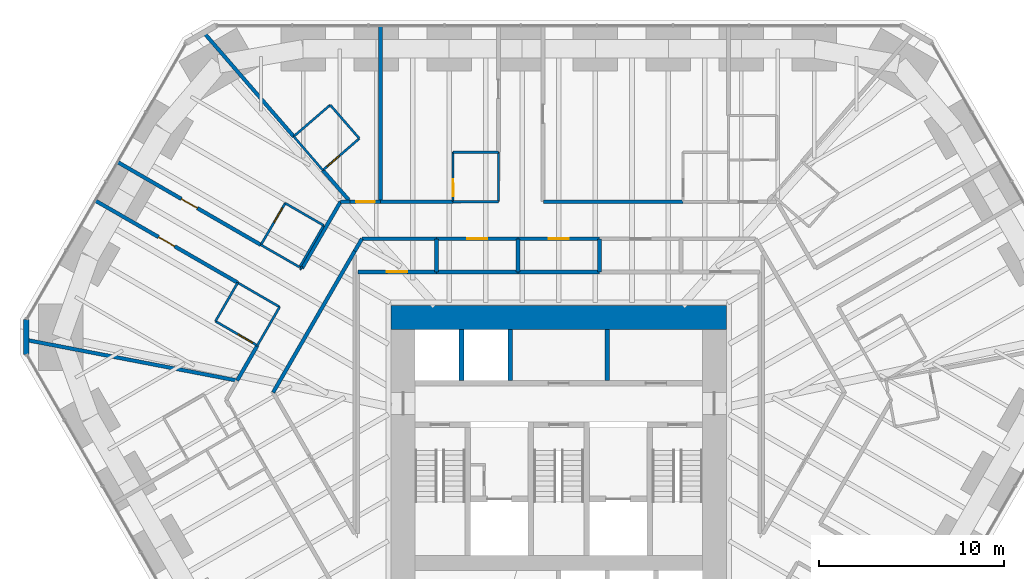
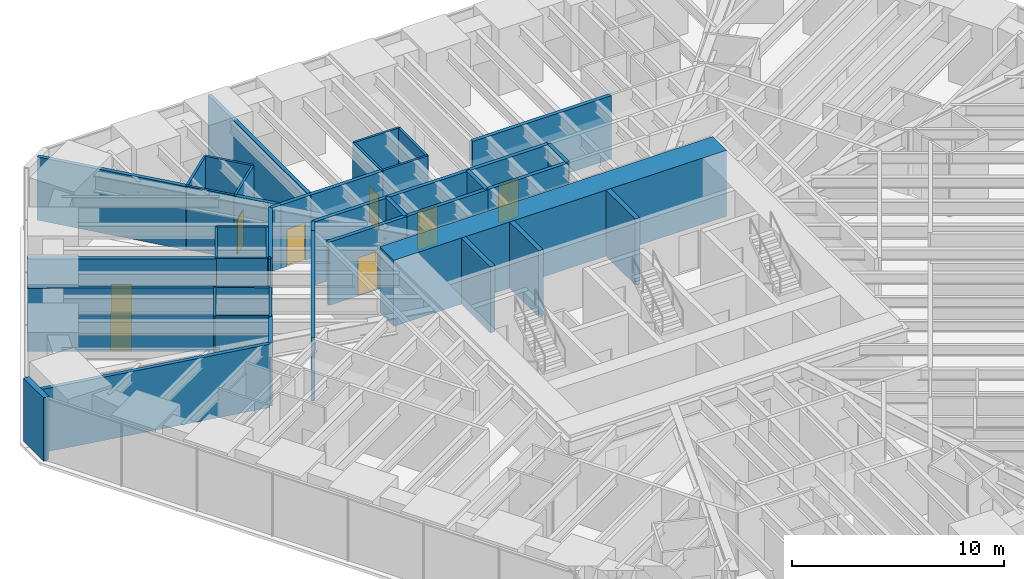
# One storey, part 14 of 17: 45 walls, 10 doors, 10 openings.
"""IFC4 building model written with IfcOpenShell, lengths in metres."""

from ifc_helpers import new_model, si_unit, direction, frame, frame_2d, origin, place, context, subcontext, project, spatial, rectangle, extrude, material, layer, layer_set, type_object, element, fill, save


model = new_model("IFC4")

# Units and contexts
model_context = context("Model", 3, precision=1e-05, world=origin(), true_north=direction((0.0, 1.0)))
body_context = subcontext(model_context, "Body", "Model", "MODEL_VIEW")
ifc_project = project(units=[si_unit("LENGTHUNIT", "METRE"), si_unit("AREAUNIT", "SQUARE_METRE"), si_unit("VOLUMEUNIT", "CUBIC_METRE"), si_unit("PLANEANGLEUNIT", "RADIAN"), si_unit("MASSUNIT", "GRAM", prefix="KILO")], contexts=[model_context])

# Site, building, storey
site_placement = place(None, origin())
site = spatial("IfcSite", under=ifc_project, at=site_placement, CompositionType="ELEMENT")
building_placement = place(site_placement, origin())
building = spatial("IfcBuilding", under=site, at=building_placement, Name="Sandreach Pilgrim Tower", CompositionType="ELEMENT")
storey_placement = place(building_placement, frame((0.0, 0.0, 100.60009765625)))
storey = spatial("IfcBuildingStorey", under=building, at=storey_placement, Name="L24", CompositionType="ELEMENT", Elevation=100.60009765625)

# Wall, opening, door
ifc_material_1 = material(Name="Moisture-resistant gypsum board on steel studs", Category="steel")
ifc_layer_1 = layer(ifc_material_1, 0.1201171875)
ifc_layer_set_1 = layer_set([ifc_layer_1], Name="Bathroom partition 120")
wall_type_1 = type_object("IfcWallType", Name="Bathroom partition 120", PredefinedType="PARTITIONING", material=ifc_layer_set_1)
wall_1_placement = place(storey_placement, frame((-18.52001953125, 6.5400390625, 0.0), z_axis=(0.0, 0.0, 1.0), x_axis=(0.865155281359, -0.50150407689, 0.0)))
wall_1 = element("IfcWall", 1, at=wall_1_placement, inside=storey, type_object=wall_type_1, Name="Bathroom partition L24-012", PredefinedType="PARTITIONING", context=body_context, shape_type="SweptSolid", body=[
    extrude(rectangle(XDim=2.6123046875, YDim=0.1201171875, at=frame_2d((1.30615234375, 0.0))), origin(), (0.0, 0.0, 1.0), 3.639892578125),
])
opening_1_placement = place(wall_1_placement, frame((1.412109375, 0.0, 0.0)))
opening_1 = element("IfcOpeningElement", 2, at=opening_1_placement, cuts=wall_1, Name="Opening D09-16B", PredefinedType="OPENING", context=body_context, shape_type="SweptSolid", body=[
    extrude(rectangle(XDim=0.89990234375, YDim=2.030029296875, at=frame_2d((0.449951171875, 1.01513671875))), frame((0.0, 0.06005859375, 0.0), z_axis=(0.0, -1.0, 0.0), x_axis=(1.0, 0.0, 0.0)), (0.0, 0.0, 1.0), 0.1201171875),
])
ifc_material_2 = material(Name="Timber door, steel frame", Category="steel")
door_type_1 = type_object("IfcDoorType", Name="Bathroom door", OperationType="SINGLE_SWING_LEFT", PredefinedType="DOOR", material=ifc_material_2)
door_1_placement = place(opening_1_placement, origin())
door_1 = element("IfcDoor", 3, at=door_1_placement, inside=storey, type_object=door_type_1, Name="Door 2416B", OperationType="SINGLE_SWING_RIGHT", OverallHeight=2.030029296875, OverallWidth=0.89990234375, PredefinedType="DOOR", context=body_context, shape_type="SweptSolid", body=[
    extrude(rectangle(XDim=0.89990234375, YDim=2.030029296875, at=frame_2d((0.449951171875, 1.01513671875))), frame((0.0, 0.02490234375, 0.0), z_axis=(0.0, -1.0, 0.0), x_axis=(1.0, 0.0, 0.0)), (0.0, 0.0, 1.0), 0.050048828125),
])
fill(opening_1, door_1)

# Walls
wall_2_placement = place(storey_placement, frame((-17.320068359375, 8.6201171875, 0.0), z_axis=(0.0, 0.0, 1.0), x_axis=(-0.499693115345, -0.866202511239, 0.0)))
element("IfcWall", 4, at=wall_2_placement, inside=storey, type_object=wall_type_1, Name="Bathroom partition L24-020", PredefinedType="PARTITIONING", context=body_context, shape_type="SweptSolid", body=[
    extrude(rectangle(XDim=2.4013671875, YDim=0.1201171875, at=frame_2d((1.20068359375, 0.0))), origin(), (0.0, 0.0, 1.0), 3.639892578125),
])
wall_3_placement = place(storey_placement, frame((-17.320068359375, 8.6201171875, 0.0), z_axis=(0.0, 0.0, 1.0), x_axis=(0.865155281359, -0.50150407689, 0.0)))
element("IfcWall", 5, at=wall_3_placement, inside=storey, type_object=wall_type_1, Name="Bathroom partition L24-021", PredefinedType="PARTITIONING", context=body_context, shape_type="SweptSolid", body=[
    extrude(rectangle(XDim=2.6123046875, YDim=0.1201171875, at=frame_2d((1.30615234375, 0.0))), origin(), (0.0, 0.0, 1.0), 3.639892578125),
])
wall_4_placement = place(storey_placement, frame((-16.261474609375, 5.23095703125, 0.0), z_axis=(0.0, 0.0, 1.0), x_axis=(0.500326720225, 0.865836689583, 0.0)))
element("IfcWall", 6, at=wall_4_placement, inside=storey, type_object=wall_type_1, Name="Bathroom partition L24-023", PredefinedType="PARTITIONING", context=body_context, shape_type="SweptSolid", body=[
    extrude(rectangle(XDim=2.4013671875, YDim=0.1201171875, at=frame_2d((1.20068359375, 0.0))), origin(), (0.0, 0.0, 1.0), 3.639892578125),
])
wall_5_placement = place(storey_placement, frame((-16.070068359375, 10.659912109375, 0.0), z_axis=(0.0, 0.0, 1.0), x_axis=(0.866987280299, -0.498330267795, 0.0)))
element("IfcWall", 7, at=wall_5_placement, inside=storey, type_object=wall_type_1, Name="Bathroom partition L24-024", PredefinedType="PARTITIONING", context=body_context, shape_type="SweptSolid", body=[
    extrude(rectangle(XDim=2.409912109375, YDim=0.1201171875, at=frame_2d((1.205078125, 0.0))), origin(), (0.0, 0.0, 1.0), 3.639892578125),
])

# Wall, opening, door
wall_6_placement = place(storey_placement, frame((-14.760009765625, 12.909912109375, 0.0), z_axis=(0.0, 0.0, 1.0), x_axis=(-0.503171227198, -0.864186736834, 0.0)))
wall_6 = element("IfcWall", 8, at=wall_6_placement, inside=storey, type_object=wall_type_1, Name="Bathroom partition L24-027", PredefinedType="PARTITIONING", context=body_context, shape_type="SweptSolid", body=[
    extrude(rectangle(XDim=2.603515625, YDim=0.1201171875, at=frame_2d((1.3017578125, 0.0))), origin(), (0.0, 0.0, 1.0), 3.639892578125),
])
opening_2_placement = place(wall_6_placement, frame((0.300048828125, 0.0, 0.0)))
opening_2 = element("IfcOpeningElement", 9, at=opening_2_placement, cuts=wall_6, Name="Opening D09-17B", PredefinedType="OPENING", context=body_context, shape_type="SweptSolid", body=[
    extrude(rectangle(XDim=0.89990234375, YDim=2.030029296875, at=frame_2d((0.449951171875, 1.01513671875))), frame((0.0, 0.06005859375, 0.0), z_axis=(0.0, -1.0, 0.0), x_axis=(1.0, 0.0, 0.0)), (0.0, 0.0, 1.0), 0.1201171875),
])
door_2_placement = place(opening_2_placement, origin())
door_2 = element("IfcDoor", 10, at=door_2_placement, inside=storey, type_object=door_type_1, Name="Door 2417B", OperationType="SINGLE_SWING_LEFT", OverallHeight=2.030029296875, OverallWidth=0.89990234375, PredefinedType="DOOR", context=body_context, shape_type="SweptSolid", body=[
    extrude(rectangle(XDim=0.89990234375, YDim=2.030029296875, at=frame_2d((0.449951171875, 1.01513671875))), frame((0.0, 0.02490234375, 0.0), z_axis=(0.0, -1.0, 0.0), x_axis=(1.0, 0.0, 0.0)), (0.0, 0.0, 1.0), 0.050048828125),
])
fill(opening_2, door_2)

# Walls
wall_7_placement = place(storey_placement, frame((-14.300048828125, 16.510009765625, 0.0), z_axis=(0.0, 0.0, 1.0), x_axis=(0.653188728136, -0.757195143563, 0.0)))
element("IfcWall", 11, at=wall_7_placement, inside=storey, type_object=wall_type_1, Name="Bathroom partition L24-028", PredefinedType="PARTITIONING", context=body_context, shape_type="SweptSolid", body=[
    extrude(rectangle(XDim=2.40380859375, YDim=0.1201171875, at=frame_2d((1.201904296875, 0.0))), origin(), (0.0, 0.0, 1.0), 3.639892578125),
])
wall_8_placement = place(storey_placement, frame((-13.97998046875, 9.4599609375, 0.0), z_axis=(0.0, 0.0, 1.0), x_axis=(0.500291685314, 0.865856933682, 0.0)))
element("IfcWall", 12, at=wall_8_placement, inside=storey, type_object=wall_type_1, Name="Bathroom partition L24-030", PredefinedType="PARTITIONING", context=body_context, shape_type="SweptSolid", body=[
    extrude(rectangle(XDim=2.5986328125, YDim=0.1201171875, at=frame_2d((1.29931640625, 0.0))), origin(), (0.0, 0.0, 1.0), 3.639892578125),
])

# Wall, opening, door
wall_9_placement = place(storey_placement, frame((-12.72998046875, 14.68994140625, 0.0), z_axis=(0.0, 0.0, 1.0), x_axis=(0.755185511235, 0.655511131576, 0.0)))
wall_9 = element("IfcWall", 13, at=wall_9_placement, inside=storey, type_object=wall_type_1, Name="Bathroom partition L24-035", PredefinedType="PARTITIONING", context=body_context, shape_type="SweptSolid", body=[
    extrude(rectangle(XDim=2.608642578125, YDim=0.1201171875, at=frame_2d((1.30419921875, 0.0))), origin(), (0.0, 0.0, 1.0), 3.639892578125),
])
opening_3_placement = place(wall_9_placement, frame((0.300048828125, 0.0, 0.0)))
opening_3 = element("IfcOpeningElement", 14, at=opening_3_placement, cuts=wall_9, Name="Opening D09-01B", PredefinedType="OPENING", context=body_context, shape_type="SweptSolid", body=[
    extrude(rectangle(XDim=0.89990234375, YDim=2.030029296875, at=frame_2d((0.449951171875, 1.01513671875))), frame((0.0, 0.06005859375, 0.0), z_axis=(0.0, -1.0, 0.0), x_axis=(1.0, 0.0, 0.0)), (0.0, 0.0, 1.0), 0.1201171875),
])
door_3_placement = place(opening_3_placement, origin())
door_3 = element("IfcDoor", 15, at=door_3_placement, inside=storey, type_object=door_type_1, Name="Door 2401B", OperationType="SINGLE_SWING_LEFT", OverallHeight=2.030029296875, OverallWidth=0.89990234375, PredefinedType="DOOR", context=body_context, shape_type="SweptSolid", body=[
    extrude(rectangle(XDim=0.89990234375, YDim=2.030029296875, at=frame_2d((0.449951171875, 1.01513671875))), frame((0.0, 0.02490234375, 0.0), z_axis=(0.0, -1.0, 0.0), x_axis=(1.0, 0.0, 0.0)), (0.0, 0.0, 1.0), 0.050048828125),
])
fill(opening_3, door_3)

# Walls
wall_10_placement = place(storey_placement, frame((-12.679931640625, 11.7099609375, 0.0), z_axis=(0.0, 0.0, 1.0), x_axis=(-0.866202511239, 0.499693115345, 0.0)))
element("IfcWall", 16, at=wall_10_placement, inside=storey, type_object=wall_type_1, Name="Bathroom partition L24-036", PredefinedType="PARTITIONING", context=body_context, shape_type="SweptSolid", body=[
    extrude(rectangle(XDim=2.4013671875, YDim=0.1201171875, at=frame_2d((1.20068359375, 0.0))), origin(), (0.0, 0.0, 1.0), 3.639892578125),
])
wall_11_placement = place(storey_placement, frame((-12.330078125, 18.2099609375, 0.0), z_axis=(0.0, 0.0, 1.0), x_axis=(-0.757086659925, -0.653314464377, 0.0)))
element("IfcWall", 17, at=wall_11_placement, inside=storey, type_object=wall_type_1, Name="Bathroom partition L24-037", PredefinedType="PARTITIONING", context=body_context, shape_type="SweptSolid", body=[
    extrude(rectangle(XDim=2.60205078125, YDim=0.1201171875, at=frame_2d((1.301025390625, 0.0))), origin(), (0.0, 0.0, 1.0), 3.639892578125),
])
wall_12_placement = place(storey_placement, frame((-10.760009765625, 16.39990234375, 0.0), z_axis=(0.0, 0.0, 1.0), x_axis=(-0.655252439976, 0.755409981338, 0.0)))
element("IfcWall", 18, at=wall_12_placement, inside=storey, type_object=wall_type_1, Name="Bathroom partition L24-046", PredefinedType="PARTITIONING", context=body_context, shape_type="SweptSolid", body=[
    extrude(rectangle(XDim=2.396240234375, YDim=0.1201171875, at=frame_2d((1.1982421875, 0.0))), origin(), (0.0, 0.0, 1.0), 3.639892578125),
])

# Wall, opening, door
wall_13_placement = place(storey_placement, frame((-5.7099609375, 15.659912109375, 0.0), z_axis=(0.0, 0.0, 1.0), x_axis=(0.003749059241, -0.999992972253, 0.0)))
wall_13 = element("IfcWall", 19, at=wall_13_placement, inside=storey, type_object=wall_type_1, Name="Bathroom partition L24-062", PredefinedType="PARTITIONING", context=body_context, shape_type="SweptSolid", body=[
    extrude(rectangle(XDim=2.669921875, YDim=0.1201171875, at=frame_2d((1.3349609375, 0.0))), origin(), (0.0, 0.0, 1.0), 3.639892578125),
])
opening_4_placement = place(wall_13_placement, frame((1.469970703125, 0.0, 0.0)))
opening_4 = element("IfcOpeningElement", 20, at=opening_4_placement, cuts=wall_13, Name="Opening D09-02B", PredefinedType="OPENING", context=body_context, shape_type="SweptSolid", body=[
    extrude(rectangle(XDim=0.89990234375, YDim=2.030029296875, at=frame_2d((0.449951171875, 1.01513671875))), frame((0.0, 0.06005859375, 0.0), z_axis=(0.0, -1.0, 0.0), x_axis=(1.0, 0.0, 0.0)), (0.0, 0.0, 1.0), 0.1201171875),
])
door_4_placement = place(opening_4_placement, origin())
door_4 = element("IfcDoor", 21, at=door_4_placement, inside=storey, type_object=door_type_1, Name="Door 2402B", OperationType="SINGLE_SWING_RIGHT", OverallHeight=2.030029296875, OverallWidth=0.89990234375, PredefinedType="DOOR", context=body_context, shape_type="SweptSolid", body=[
    extrude(rectangle(XDim=0.89990234375, YDim=2.030029296875, at=frame_2d((0.449951171875, 1.01513671875))), frame((0.0, 0.02490234375, 0.0), z_axis=(0.0, -1.0, 0.0), x_axis=(1.0, 0.0, 0.0)), (0.0, 0.0, 1.0), 0.050048828125),
])
fill(opening_4, door_4)

# Walls
wall_14_placement = place(storey_placement, frame((-3.25, 12.989990234375, 0.0), z_axis=(0.0, 0.0, 1.0), x_axis=(-1.0, 0.0, 0.0)))
element("IfcWall", 22, at=wall_14_placement, inside=storey, type_object=wall_type_1, Name="Bathroom partition L24-070", PredefinedType="PARTITIONING", context=body_context, shape_type="SweptSolid", body=[
    extrude(rectangle(XDim=2.449951171875, YDim=0.1201171875, at=frame_2d((1.22509765625, 0.0))), origin(), (0.0, 0.0, 1.0), 3.639892578125),
])
wall_15_placement = place(storey_placement, frame((-3.25, 15.659912109375, 0.0), z_axis=(0.0, 0.0, 1.0), x_axis=(-1.0, 0.0, 0.0)))
element("IfcWall", 23, at=wall_15_placement, inside=storey, type_object=wall_type_1, Name="Bathroom partition L24-071", PredefinedType="PARTITIONING", context=body_context, shape_type="SweptSolid", body=[
    extrude(rectangle(XDim=2.4599609375, YDim=0.1201171875, at=frame_2d((1.22998046875, 0.0))), origin(), (0.0, 0.0, 1.0), 3.639892578125),
])
wall_16_placement = place(storey_placement, frame((-3.25, 15.659912109375, 0.0), z_axis=(0.0, 0.0, 1.0), x_axis=(0.0, -1.0, 0.0)))
element("IfcWall", 24, at=wall_16_placement, inside=storey, type_object=wall_type_1, Name="Bathroom partition L24-072", PredefinedType="PARTITIONING", context=body_context, shape_type="SweptSolid", body=[
    extrude(rectangle(XDim=2.669921875, YDim=0.1201171875, at=frame_2d((1.3349609375, 0.0))), origin(), (0.0, 0.0, 1.0), 3.639892578125),
])
ifc_material_3 = material(Name="Concrete 10000 psi", Category="concrete")
ifc_layer_2 = layer(ifc_material_3, 1.300048828125)
ifc_layer_set_2 = layer_set([ifc_layer_2], Name="Core wall 1300")
wall_type_2 = type_object("IfcWallType", Name="Core wall 1300", PredefinedType="SHEAR", material=ifc_layer_set_2)
wall_17_placement = place(storey_placement, frame((-9.050048828125, 6.75, 0.0), z_axis=(0.0, 0.0, 1.0), x_axis=(1.0, 0.0, 0.0)))
element("IfcWall", 25, at=wall_17_placement, inside=storey, type_object=wall_type_2, Name="Core wall N L24", PredefinedType="SHEAR", context=body_context, shape_type="SweptSolid", body=[
    extrude(rectangle(XDim=18.10009765625, YDim=1.300048828125, at=frame_2d((9.050048828125, 0.0))), origin(), (0.0, 0.0, 1.0), 3.7998046875),
])

# Wall, opening, door
ifc_material_4 = material(Name="Gypsum board on steel studs, two layers each side", Category="steel")
ifc_layer_3 = layer(ifc_material_4, 0.199951171875)
ifc_layer_set_3 = layer_set([ifc_layer_3], Name="Corridor wall 200")
wall_type_3 = type_object("IfcWallType", Name="Corridor wall 200", PredefinedType="PARTITIONING", material=ifc_layer_set_3)
wall_18_placement = place(storey_placement, frame((-24.993896484375, 13.044921875, 0.0), z_axis=(0.0, 0.0, 1.0), x_axis=(0.866303025974, -0.499518835669, 0.0)))
wall_18 = element("IfcWall", 26, at=wall_18_placement, inside=storey, type_object=wall_type_3, Name="Corridor wall L24-002", PredefinedType="PARTITIONING", context=body_context, shape_type="SweptSolid", body=[
    extrude(rectangle(XDim=8.858154296875, YDim=0.199951171875, at=frame_2d((4.42919921875, 0.0))), origin(), (0.0, 0.0, 1.0), 3.639892578125),
])
opening_5_placement = place(wall_18_placement, frame((3.92919921875, 0.0, 0.0)))
opening_5 = element("IfcOpeningElement", 27, at=opening_5_placement, cuts=wall_18, Name="Opening D10-16", PredefinedType="OPENING", context=body_context, shape_type="SweptSolid", body=[
    extrude(rectangle(XDim=1.0, YDim=2.1298828125, at=frame_2d((0.5, 1.06494140625))), frame((0.0, 0.10009765625, 0.0), z_axis=(0.0, -1.0, 0.0), x_axis=(1.0, 0.0, 0.0)), (0.0, 0.0, 1.0), 0.199951171875),
])
ifc_material_5 = material(Name="Steel door and frame", Category="steel")
door_type_2 = type_object("IfcDoorType", Name="Guest room entry door", OperationType="SINGLE_SWING_LEFT", PredefinedType="DOOR", material=ifc_material_5)
door_5_placement = place(opening_5_placement, origin())
door_5 = element("IfcDoor", 28, at=door_5_placement, inside=storey, type_object=door_type_2, Name="Door 2416", OperationType="SINGLE_SWING_LEFT", OverallHeight=2.1298828125, OverallWidth=1.0, PredefinedType="DOOR", context=body_context, shape_type="SweptSolid", body=[
    extrude(rectangle(XDim=1.0, YDim=2.1298828125, at=frame_2d((0.5, 1.06494140625))), frame((0.0, 0.02490234375, 0.0), z_axis=(0.0, -1.0, 0.0), x_axis=(1.0, 0.0, 0.0)), (0.0, 0.0, 1.0), 0.050048828125),
])
fill(opening_5, door_5)

wall_19_placement = place(storey_placement, frame((-23.7939453125, 15.125, 0.0), z_axis=(0.0, 0.0, 1.0), x_axis=(0.865748355596, -0.500479554809, 0.0)))
wall_19 = element("IfcWall", 29, at=wall_19_placement, inside=storey, type_object=wall_type_3, Name="Corridor wall L24-004", PredefinedType="PARTITIONING", context=body_context, shape_type="SweptSolid", body=[
    extrude(rectangle(XDim=8.921630859375, YDim=0.199951171875, at=frame_2d((4.4609375, 0.0))), origin(), (0.0, 0.0, 1.0), 3.639892578125),
])
opening_6_placement = place(wall_19_placement, frame((3.960693359375, 0.0, 0.0)))
opening_6 = element("IfcOpeningElement", 30, at=opening_6_placement, cuts=wall_19, Name="Opening D10-17", PredefinedType="OPENING", context=body_context, shape_type="SweptSolid", body=[
    extrude(rectangle(XDim=1.0, YDim=2.1298828125, at=frame_2d((0.5, 1.06494140625))), frame((0.0, 0.10009765625, 0.0), z_axis=(0.0, -1.0, 0.0), x_axis=(1.0, 0.0, 0.0)), (0.0, 0.0, 1.0), 0.199951171875),
])
door_6_placement = place(opening_6_placement, origin())
door_6 = element("IfcDoor", 31, at=door_6_placement, inside=storey, type_object=door_type_2, Name="Door 2417", OperationType="SINGLE_SWING_LEFT", OverallHeight=2.1298828125, OverallWidth=1.0, PredefinedType="DOOR", context=body_context, shape_type="SweptSolid", body=[
    extrude(rectangle(XDim=1.0, YDim=2.1298828125, at=frame_2d((0.5, 1.06494140625))), frame((0.0, 0.02490234375, 0.0), z_axis=(0.0, -1.0, 0.0), x_axis=(1.0, 0.0, 0.0)), (0.0, 0.0, 1.0), 0.050048828125),
])
fill(opening_6, door_6)

# Walls
wall_20_placement = place(storey_placement, frame((-17.35009765625, 3.340087890625, 0.0), z_axis=(0.0, 0.0, 1.0), x_axis=(0.499641723021, 0.866232156305, 0.0)))
element("IfcWall", 32, at=wall_20_placement, inside=storey, type_object=wall_type_3, Name="Corridor wall L24-019", PredefinedType="PARTITIONING", context=body_context, shape_type="SweptSolid", body=[
    extrude(rectangle(XDim=2.181640625, YDim=0.199951171875, at=frame_2d((1.0908203125, 0.0))), origin(), (0.0, 0.0, 1.0), 3.639892578125),
])
wall_21_placement = place(storey_placement, frame((-15.409912109375, 2.699951171875, 0.0), z_axis=(0.0, 0.0, 1.0), x_axis=(0.500036278648, 0.866004457284, 0.0)))
element("IfcWall", 33, at=wall_21_placement, inside=storey, type_object=wall_type_3, Name="Corridor wall L24-026", PredefinedType="PARTITIONING", context=body_context, shape_type="SweptSolid", body=[
    extrude(rectangle(XDim=8.799072265625, YDim=0.199951171875, at=frame_2d((4.3994140625, 0.0))), origin(), (0.0, 0.0, 1.0), 3.639892578125),
])
wall_22_placement = place(storey_placement, frame((-13.937255859375, 9.43408203125, 0.0), z_axis=(0.0, 0.0, 1.0), x_axis=(0.867735735179, -0.497025848315, 0.0)))
element("IfcWall", 34, at=wall_22_placement, inside=storey, type_object=wall_type_3, Name="Corridor wall L24-031", PredefinedType="PARTITIONING", context=body_context, shape_type="SweptSolid", body=[
    extrude(rectangle(XDim=0.0888671875, YDim=0.199951171875, at=frame_2d((0.04443359375, 0.0))), origin(), (0.0, 0.0, 1.0), 3.639892578125),
])
wall_23_placement = place(storey_placement, frame((-11.77001953125, 12.989990234375, 0.0), z_axis=(0.0, 0.0, 1.0), x_axis=(-0.502083167097, -0.864819341434, 0.0)))
element("IfcWall", 35, at=wall_23_placement, inside=storey, type_object=wall_type_3, Name="Corridor wall L24-038", PredefinedType="PARTITIONING", context=body_context, shape_type="SweptSolid", body=[
    extrude(rectangle(XDim=4.162841796875, YDim=0.199951171875, at=frame_2d((2.08154296875, 0.0))), origin(), (0.0, 0.0, 1.0), 3.639892578125),
])
wall_24_placement = place(storey_placement, frame((-11.25, 12.989990234375, 0.0), z_axis=(0.0, 0.0, 1.0), x_axis=(-1.0, 0.0, 0.0)))
element("IfcWall", 36, at=wall_24_placement, inside=storey, type_object=wall_type_3, Name="Corridor wall L24-040", PredefinedType="PARTITIONING", context=body_context, shape_type="SweptSolid", body=[
    extrude(rectangle(XDim=0.52001953125, YDim=0.199951171875, at=frame_2d((0.260009765625, 0.0))), origin(), (0.0, 0.0, 1.0), 3.639892578125),
])
wall_25_placement = place(storey_placement, frame((-11.010009765625, 10.320068359375, 0.0), z_axis=(0.0, 0.0, 1.0), x_axis=(0.503009091795, 0.864281119527, 0.0)))
element("IfcWall", 37, at=wall_25_placement, inside=storey, type_object=wall_type_3, Name="Corridor wall L24-043", PredefinedType="PARTITIONING", context=body_context, shape_type="SweptSolid", body=[
    extrude(rectangle(XDim=0.775146484375, YDim=0.199951171875, at=frame_2d((0.3876953125, 0.0))), origin(), (0.0, 0.0, 1.0), 3.639892578125),
])
wall_26_placement = place(storey_placement, frame((-10.6201171875, 10.989990234375, 0.0), z_axis=(0.0, 0.0, 1.0), x_axis=(1.0, 0.0, 0.0)))
element("IfcWall", 38, at=wall_26_placement, inside=storey, type_object=wall_type_3, Name="Corridor wall L24-047", PredefinedType="PARTITIONING", context=body_context, shape_type="SweptSolid", body=[
    extrude(rectangle(XDim=4.02001953125, YDim=0.199951171875, at=frame_2d((2.010009765625, 0.0))), origin(), (0.0, 0.0, 1.0), 3.639892578125),
])

# Wall, opening, door
wall_27_placement = place(storey_placement, frame((-9.6201171875, 12.989990234375, 0.0), z_axis=(0.0, 0.0, 1.0), x_axis=(-1.0, 0.0, 0.0)))
wall_27 = element("IfcWall", 39, at=wall_27_placement, inside=storey, type_object=wall_type_3, Name="Corridor wall L24-049", PredefinedType="PARTITIONING", context=body_context, shape_type="SweptSolid", body=[
    extrude(rectangle(XDim=1.6298828125, YDim=0.199951171875, at=frame_2d((0.81494140625, 0.0))), origin(), (0.0, 0.0, 1.0), 3.639892578125),
])
opening_7_placement = place(wall_27_placement, frame((0.31494140625, 0.0, 0.0)))
opening_7 = element("IfcOpeningElement", 40, at=opening_7_placement, cuts=wall_27, Name="Opening D10-01", PredefinedType="OPENING", context=body_context, shape_type="SweptSolid", body=[
    extrude(rectangle(XDim=1.0, YDim=2.1298828125, at=frame_2d((0.5, 1.06494140625))), frame((0.0, 0.10009765625, 0.0), z_axis=(0.0, -1.0, 0.0), x_axis=(1.0, 0.0, 0.0)), (0.0, 0.0, 1.0), 0.199951171875),
])
door_7_placement = place(opening_7_placement, origin())
door_7 = element("IfcDoor", 41, at=door_7_placement, inside=storey, type_object=door_type_2, Name="Door 2401", OperationType="SINGLE_SWING_LEFT", OverallHeight=2.1298828125, OverallWidth=1.0, PredefinedType="DOOR", context=body_context, shape_type="SweptSolid", body=[
    extrude(rectangle(XDim=1.0, YDim=2.1298828125, at=frame_2d((0.5, 1.06494140625))), frame((0.0, 0.02490234375, 0.0), z_axis=(0.0, -1.0, 0.0), x_axis=(1.0, 0.0, 0.0)), (0.0, 0.0, 1.0), 0.050048828125),
])
fill(opening_7, door_7)

wall_28_placement = place(storey_placement, frame((-6.60009765625, 9.199951171875, 0.0), z_axis=(0.0, 0.0, 1.0), x_axis=(-1.0, 0.0, 0.0)))
wall_28 = element("IfcWall", 42, at=wall_28_placement, inside=storey, type_object=wall_type_3, Name="Corridor wall L24-058", PredefinedType="PARTITIONING", context=body_context, shape_type="SweptSolid", body=[
    extrude(rectangle(XDim=4.239990234375, YDim=0.199951171875, at=frame_2d((2.1201171875, 0.0))), origin(), (0.0, 0.0, 1.0), 3.639892578125),
])
opening_8_placement = place(wall_28_placement, frame((1.570068359375, 0.0, 0.0)))
opening_8 = element("IfcOpeningElement", 43, at=opening_8_placement, cuts=wall_28, Name="Opening D11H-M02", PredefinedType="OPENING", context=body_context, shape_type="SweptSolid", body=[
    extrude(rectangle(XDim=1.10009765625, YDim=2.199951171875, at=frame_2d((0.550048828125, 1.10009765625))), frame((0.0, 0.10009765625, 0.0), z_axis=(0.0, -1.0, 0.0), x_axis=(1.0, 0.0, 0.0)), (0.0, 0.0, 1.0), 0.199951171875),
])
ifc_material_6 = material(Name="Steel door and frame", Category="steel")
door_type_3 = type_object("IfcDoorType", Name="Back of house door", OperationType="SINGLE_SWING_LEFT", PredefinedType="DOOR", material=ifc_material_6)
door_8_placement = place(opening_8_placement, origin())
door_8 = element("IfcDoor", 44, at=door_8_placement, inside=storey, type_object=door_type_3, Name="Door 24M02", OperationType="SINGLE_SWING_LEFT", OverallHeight=2.199951171875, OverallWidth=1.10009765625, PredefinedType="DOOR", context=body_context, shape_type="SweptSolid", body=[
    extrude(rectangle(XDim=1.10009765625, YDim=2.199951171875, at=frame_2d((0.550048828125, 1.10009765625))), frame((0.0, 0.02490234375, 0.0), z_axis=(0.0, -1.0, 0.0), x_axis=(1.0, 0.0, 0.0)), (0.0, 0.0, 1.0), 0.050048828125),
])
fill(opening_8, door_8)

wall_29_placement = place(storey_placement, frame((-6.60009765625, 10.989990234375, 0.0), z_axis=(0.0, 0.0, 1.0), x_axis=(1.0, 0.0, 0.0)))
wall_29 = element("IfcWall", 45, at=wall_29_placement, inside=storey, type_object=wall_type_3, Name="Corridor wall L24-060", PredefinedType="PARTITIONING", context=body_context, shape_type="SweptSolid", body=[
    extrude(rectangle(XDim=4.400146484375, YDim=0.199951171875, at=frame_2d((2.2001953125, 0.0))), origin(), (0.0, 0.0, 1.0), 3.639892578125),
])
opening_9_placement = place(wall_29_placement, frame((1.64990234375, 0.0, 0.0)))
opening_9 = element("IfcOpeningElement", 46, at=opening_9_placement, cuts=wall_29, Name="Opening D11H-M03", PredefinedType="OPENING", context=body_context, shape_type="SweptSolid", body=[
    extrude(rectangle(XDim=1.10009765625, YDim=2.199951171875, at=frame_2d((0.550048828125, 1.10009765625))), frame((0.0, 0.10009765625, 0.0), z_axis=(0.0, -1.0, 0.0), x_axis=(1.0, 0.0, 0.0)), (0.0, 0.0, 1.0), 0.199951171875),
])
door_9_placement = place(opening_9_placement, origin())
door_9 = element("IfcDoor", 47, at=door_9_placement, inside=storey, type_object=door_type_3, Name="Door 24M03", OperationType="SINGLE_SWING_LEFT", OverallHeight=2.199951171875, OverallWidth=1.10009765625, PredefinedType="DOOR", context=body_context, shape_type="SweptSolid", body=[
    extrude(rectangle(XDim=1.10009765625, YDim=2.199951171875, at=frame_2d((0.550048828125, 1.10009765625))), frame((0.0, 0.02490234375, 0.0), z_axis=(0.0, -1.0, 0.0), x_axis=(1.0, 0.0, 0.0)), (0.0, 0.0, 1.0), 0.050048828125),
])
fill(opening_9, door_9)

# Walls
wall_30_placement = place(storey_placement, frame((-5.699951171875, 12.989990234375, 0.0), z_axis=(0.0, 0.0, 1.0), x_axis=(-1.0, 0.0, 0.0)))
element("IfcWall", 48, at=wall_30_placement, inside=storey, type_object=wall_type_3, Name="Corridor wall L24-063", PredefinedType="PARTITIONING", context=body_context, shape_type="SweptSolid", body=[
    extrude(rectangle(XDim=3.920166015625, YDim=0.199951171875, at=frame_2d((1.9599609375, 0.0))), origin(), (0.0, 0.0, 1.0), 3.639892578125),
])
wall_31_placement = place(storey_placement, frame((-2.199951171875, 9.199951171875, 0.0), z_axis=(0.0, 0.0, 1.0), x_axis=(-1.0, 0.0, 0.0)))
element("IfcWall", 49, at=wall_31_placement, inside=storey, type_object=wall_type_3, Name="Corridor wall L24-074", PredefinedType="PARTITIONING", context=body_context, shape_type="SweptSolid", body=[
    extrude(rectangle(XDim=4.400146484375, YDim=0.199951171875, at=frame_2d((2.2001953125, 0.0))), origin(), (0.0, 0.0, 1.0), 3.639892578125),
])

# Wall, opening, door
wall_32_placement = place(storey_placement, frame((-2.199951171875, 10.989990234375, 0.0), z_axis=(0.0, 0.0, 1.0), x_axis=(1.0, 0.0, 0.0)))
wall_32 = element("IfcWall", 50, at=wall_32_placement, inside=storey, type_object=wall_type_3, Name="Corridor wall L24-076", PredefinedType="PARTITIONING", context=body_context, shape_type="SweptSolid", body=[
    extrude(rectangle(XDim=4.39990234375, YDim=0.199951171875, at=frame_2d((2.199951171875, 0.0))), origin(), (0.0, 0.0, 1.0), 3.639892578125),
])
opening_10_placement = place(wall_32_placement, frame((1.64990234375, 0.0, 0.0)))
opening_10 = element("IfcOpeningElement", 51, at=opening_10_placement, cuts=wall_32, Name="Opening D11H-M04", PredefinedType="OPENING", context=body_context, shape_type="SweptSolid", body=[
    extrude(rectangle(XDim=1.10009765625, YDim=2.199951171875, at=frame_2d((0.550048828125, 1.10009765625))), frame((0.0, 0.10009765625, 0.0), z_axis=(0.0, -1.0, 0.0), x_axis=(1.0, 0.0, 0.0)), (0.0, 0.0, 1.0), 0.199951171875),
])
door_10_placement = place(opening_10_placement, origin())
door_10 = element("IfcDoor", 52, at=door_10_placement, inside=storey, type_object=door_type_3, Name="Door 24M04", OperationType="SINGLE_SWING_LEFT", OverallHeight=2.199951171875, OverallWidth=1.10009765625, PredefinedType="DOOR", context=body_context, shape_type="SweptSolid", body=[
    extrude(rectangle(XDim=1.10009765625, YDim=2.199951171875, at=frame_2d((0.550048828125, 1.10009765625))), frame((0.0, 0.02490234375, 0.0), z_axis=(0.0, -1.0, 0.0), x_axis=(1.0, 0.0, 0.0)), (0.0, 0.0, 1.0), 0.050048828125),
])
fill(opening_10, door_10)

# Walls
wall_33_placement = place(storey_placement, frame((2.199951171875, 9.199951171875, 0.0), z_axis=(0.0, 0.0, 1.0), x_axis=(-1.0, 0.0, 0.0)))
element("IfcWall", 53, at=wall_33_placement, inside=storey, type_object=wall_type_3, Name="Corridor wall L24-089", PredefinedType="PARTITIONING", context=body_context, shape_type="SweptSolid", body=[
    extrude(rectangle(XDim=4.39990234375, YDim=0.199951171875, at=frame_2d((2.199951171875, 0.0))), origin(), (0.0, 0.0, 1.0), 3.639892578125),
])
wall_34_placement = place(storey_placement, frame((6.7099609375, 12.989990234375, 0.0), z_axis=(0.0, 0.0, 1.0), x_axis=(-1.0, 0.0, 0.0)))
element("IfcWall", 54, at=wall_34_placement, inside=storey, type_object=wall_type_3, Name="Corridor wall L24-102", PredefinedType="PARTITIONING", context=body_context, shape_type="SweptSolid", body=[
    extrude(rectangle(XDim=7.544921875, YDim=0.199951171875, at=frame_2d((3.7724609375, 0.0))), origin(), (0.0, 0.0, 1.0), 3.639892578125),
])
ifc_material_7 = material(Name="Double steel stud acoustic wall, gypsum board", Category="steel")
ifc_layer_4 = layer(ifc_material_7, 0.199951171875)
ifc_layer_set_4 = layer_set([ifc_layer_4], Name="Party wall 200")
wall_type_4 = type_object("IfcWallType", Name="Party wall 200", PredefinedType="PARTITIONING", material=ifc_layer_set_4)
wall_35_placement = place(storey_placement, frame((-28.740478515625, 5.534423828125, 0.0), z_axis=(0.0, 0.0, 1.0), x_axis=(0.981941558077, -0.189184503913, 0.0)))
element("IfcWall", 55, at=wall_35_placement, inside=storey, type_object=wall_type_4, Name="Party wall L24-001", PredefinedType="PARTITIONING", context=body_context, shape_type="SweptSolid", body=[
    extrude(rectangle(XDim=11.5498046875, YDim=0.199951171875, at=frame_2d((5.77490234375, 0.0))), origin(), (0.0, 0.0, 1.0), 3.639892578125),
])
wall_36_placement = place(storey_placement, frame((-19.160400390625, 22.127197265625, 0.0), z_axis=(0.0, 0.0, 1.0), x_axis=(0.654324699903, -0.756213717871, 0.0)))
element("IfcWall", 56, at=wall_36_placement, inside=storey, type_object=wall_type_4, Name="Party wall L24-007", PredefinedType="PARTITIONING", context=body_context, shape_type="SweptSolid", body=[
    extrude(rectangle(XDim=7.427978515625, YDim=0.199951171875, at=frame_2d((3.7138671875, 0.0))), origin(), (0.0, 0.0, 1.0), 3.639892578125),
])
wall_37_placement = place(storey_placement, frame((-12.72998046875, 14.68994140625, 0.0), z_axis=(0.0, 0.0, 1.0), x_axis=(0.656624063312, -0.754218031792, 0.0)))
element("IfcWall", 57, at=wall_37_placement, inside=storey, type_object=wall_type_4, Name="Party wall L24-034", PredefinedType="PARTITIONING", context=body_context, shape_type="SweptSolid", body=[
    extrude(rectangle(XDim=2.143798828125, YDim=0.199951171875, at=frame_2d((1.07177734375, 0.0))), origin(), (0.0, 0.0, 1.0), 3.639892578125),
])
wall_38_placement = place(storey_placement, frame((-9.6201171875, 22.4599609375, 0.0), z_axis=(0.0, 0.0, 1.0), x_axis=(0.0, -1.0, 0.0)))
element("IfcWall", 58, at=wall_38_placement, inside=storey, type_object=wall_type_4, Name="Party wall L24-050", PredefinedType="PARTITIONING", context=body_context, shape_type="SweptSolid", body=[
    extrude(rectangle(XDim=9.455078125, YDim=0.199951171875, at=frame_2d((4.7275390625, 0.0))), origin(), (0.0, 0.0, 1.0), 3.639892578125),
])
for number, where, z_axis, x_axis, name in (
    (59, (-6.60009765625, 10.97998046875, 0.0), (0.0, 0.0, 1.0), (0.0, -1.0, 0.0), "Party wall L24-059"),
    (60, (-2.199951171875, 10.97998046875, 0.0), (0.0, 0.0, 1.0), (0.0, -1.0, 0.0), "Party wall L24-075"),
    (61, (2.199951171875, 10.97998046875, 0.0), (0.0, 0.0, 1.0), (0.0, -1.0, 0.0), "Party wall L24-090"),
):
    element("IfcWall", number, at=place(storey_placement, frame(where, z_axis=z_axis, x_axis=x_axis)), inside=storey, type_object=wall_type_4, Name=name, PredefinedType="PARTITIONING", context=body_context, shape_type="SweptSolid", body=[
        extrude(rectangle(XDim=1.77001953125, YDim=0.199951171875, at=frame_2d((0.885009765625, 0.0))), origin(), (0.0, 0.0, 1.0), 3.639892578125),
    ])
ifc_material_8 = material(Name="Gypsum shaft wall on steel studs, two layers of shaft liner board", Category="steel")
ifc_layer_5 = layer(ifc_material_8, 0.25)
ifc_layer_set_5 = layer_set([ifc_layer_5], Name="Shaft partition 250")
wall_type_5 = type_object("IfcWallType", Name="Shaft partition 250", PredefinedType="PARTITIONING", material=ifc_layer_set_5)
for number, where, z_axis, x_axis, name in (
    (62, (-5.25, 3.35009765625, 0.0), (0.0, 0.0, 1.0), (0.0, 1.0, 0.0), "Shaft partition NS0 L24"),
    (63, (-2.625, 3.35009765625, 0.0), (0.0, 0.0, 1.0), (0.0, 1.0, 0.0), "Shaft partition NS1 L24"),
    (64, (2.625, 3.35009765625, 0.0), (0.0, 0.0, 1.0), (0.0, 1.0, 0.0), "Shaft partition NS3 L24"),
):
    element("IfcWall", number, at=place(storey_placement, frame(where, z_axis=z_axis, x_axis=x_axis)), inside=storey, type_object=wall_type_5, Name=name, PredefinedType="PARTITIONING", context=body_context, shape_type="SweptSolid", body=[
        extrude(rectangle(XDim=2.75, YDim=0.25, at=frame_2d((1.375, 0.0))), origin(), (0.0, 0.0, 1.0), 3.7998046875),
    ])
ifc_material_9 = material(Name="Terracotta rainscreen on concrete", Category="masonry")
ifc_layer_6 = layer(ifc_material_9, 0.300048828125)
ifc_layer_set_6 = layer_set([ifc_layer_6], Name="Terracotta chamfer pier")
wall_type_6 = type_object("IfcWallType", Name="Terracotta chamfer pier", PredefinedType="SOLIDWALL", material=ifc_layer_set_6)
wall_39_placement = place(storey_placement, frame((-28.720947265625, 4.758544921875, 0.0), z_axis=(0.0, 0.0, 1.0), x_axis=(0.0, 1.0, 0.0)))
element("IfcWall", 65, at=wall_39_placement, inside=storey, type_object=wall_type_6, Name="Chamfer pier L24 SW", PredefinedType="SOLIDWALL", context=body_context, shape_type="SweptSolid", body=[
    extrude(rectangle(XDim=1.8798828125, YDim=0.300048828125, at=frame_2d((0.93994140625, 0.0))), origin(), (0.0, 0.0, 1.0), 3.639892578125),
])

save(model, "model.ifc")
